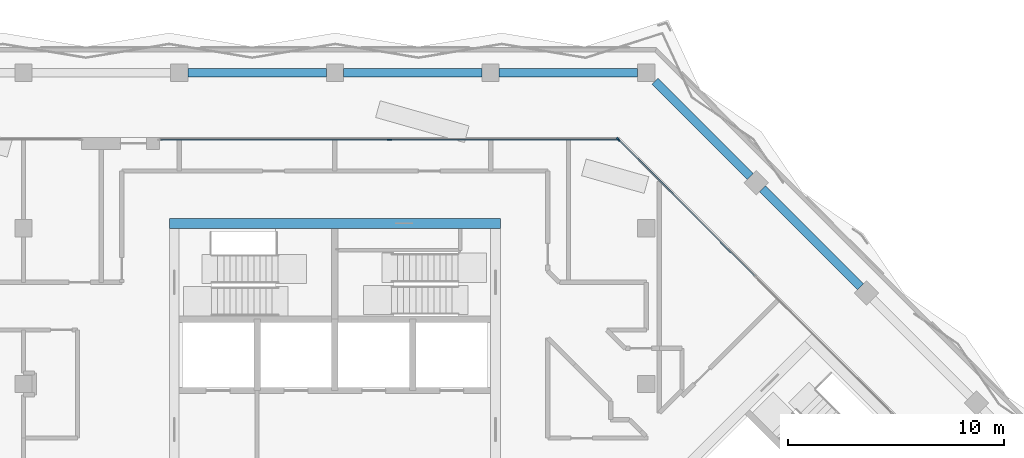
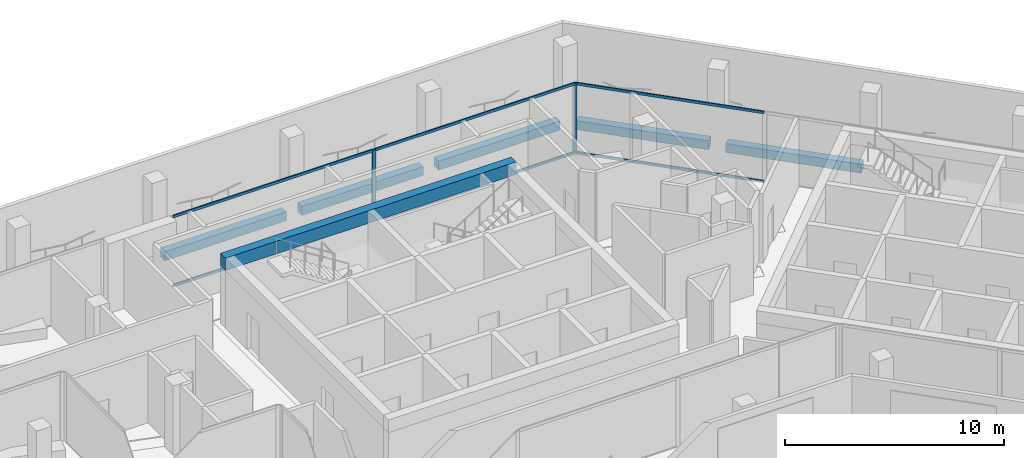
# One storey, part 6 of 19: 8 members, 6 beams, 2 elements without a shape of their own.
"""IFC4 building model written with IfcOpenShell, lengths in metres."""

from ifc_helpers import new_model, si_unit, direction, frame, origin, origin_2d, place, context, subcontext, project, spatial, rectangle, extrude, material, material_profile, profile_set, type_object, element, aggregate, save


model = new_model("IFC4")

# Units and contexts
model_context = context("Model", 3, precision=1e-05, world=origin(), true_north=direction((0.0, 1.0)))
body_context = subcontext(model_context, "Body", "Model", "MODEL_VIEW")
ifc_project = project(units=[si_unit("LENGTHUNIT", "METRE"), si_unit("AREAUNIT", "SQUARE_METRE"), si_unit("VOLUMEUNIT", "CUBIC_METRE"), si_unit("PLANEANGLEUNIT", "RADIAN"), si_unit("MASSUNIT", "GRAM", prefix="KILO")], contexts=[model_context])

# Site, building, storey
site_placement = place(None, origin())
site = spatial("IfcSite", under=ifc_project, at=site_placement, CompositionType="ELEMENT")
building_placement = place(site_placement, origin())
building = spatial("IfcBuilding", under=site, at=building_placement, Name="Windrow Commons", CompositionType="ELEMENT")
storey_placement = place(building_placement, frame((0.0, 0.0, 230.4)))
storey = spatial("IfcBuildingStorey", under=building, at=storey_placement, Name="L63", CompositionType="ELEMENT", Elevation=230.4)

# Curtain wall, member
ifc_material_1 = material(Name="Clear laminated glass in Aluminium 6063-T6 anodised frame", Category="aluminium")
curtain_wall_type = type_object("IfcCurtainWallType", Name="Curtain wall CW2H sky lounge upper", PredefinedType="USERDEFINED", material=ifc_material_1)
placement = place(storey_placement, origin())
curtain_wall_1 = element("IfcCurtainWall", 1, at=placement, inside=storey, type_object=curtain_wall_type, Name="Curtain wall CW2H L63 3", ObjectType="UNITISED", PredefinedType="USERDEFINED")
ifc_material_2 = material(Name="Aluminium 6063-T6", Category="aluminium")
ifc_material_profile_1 = material_profile(ifc_material_2, rectangle(XDim=0.06, YDim=0.2, at=origin_2d()))
ifc_profile_set_1 = profile_set([ifc_material_profile_1], Name="Aluminium 6063-T6")
member_type_1 = type_object("IfcMemberType", Name="CW2H mullion 60x200", PredefinedType="MULLION", material=ifc_profile_set_1)
member_1_placement = place(storey_placement, frame((77.9079, 68.9081, 0.0), z_axis=(0.0, 0.0, 1.0), x_axis=(-0.7071067812, -0.7071067812, 0.0)))
member_1 = element("IfcMember", 2, at=member_1_placement, type_object=member_type_1, Name="CW2H mullion 4", PredefinedType="MULLION", context=body_context, shape_type="SweptSolid", body=[
    extrude(rectangle(XDim=0.06, YDim=0.2, at=origin_2d()), origin(), (0.0, 0.0, 1.0), 3.9),
])

curtain_wall_2 = element("IfcCurtainWall", 3, at=placement, inside=storey, type_object=curtain_wall_type, Name="Curtain wall CW2H L63 4.1", ObjectType="UNITISED", PredefinedType="USERDEFINED")
member_2_placement = place(storey_placement, frame((67.3179, 68.9, 0.0), z_axis=(0.0, 0.0, 1.0), x_axis=(0.0, -1.0, 0.0)))
member_2 = element("IfcMember", 4, at=member_2_placement, type_object=member_type_1, Name="CW2H mullion 2", PredefinedType="MULLION", context=body_context, shape_type="SweptSolid", body=[
    extrude(rectangle(XDim=0.06, YDim=0.2, at=origin_2d()), origin(), (0.0, 0.0, 1.0), 3.9),
])

# Member
ifc_material_3 = material(Name="Aluminium 6063-T6", Category="aluminium")
ifc_material_profile_2 = material_profile(ifc_material_3, rectangle(XDim=0.06, YDim=0.15, at=origin_2d()))
ifc_profile_set_2 = profile_set([ifc_material_profile_2], Name="Aluminium 6063-T6")
member_type_2 = type_object("IfcMemberType", Name="CW2H transom 60x150", PredefinedType="USERDEFINED", material=ifc_profile_set_2)
member_3_placement = place(storey_placement, frame((84.2194, 62.5966, 0.03), z_axis=(-0.7071067812, 0.7071067812, 0.0), x_axis=(-0.7071067812, -0.7071067812, 0.0)))
member_3 = element("IfcMember", 5, at=member_3_placement, type_object=member_type_2, Name="CW2H transom 3.1", ObjectType="TRANSOM", PredefinedType="USERDEFINED", context=body_context, shape_type="SweptSolid", body=[
    extrude(rectangle(XDim=0.06, YDim=0.15, at=origin_2d()), origin(), (0.0, 0.0, 1.0), 8.8958),
])

member_4_placement = place(storey_placement, frame((84.2194, 62.5966, 3.87), z_axis=(-0.7071067812, 0.7071067812, 0.0), x_axis=(-0.7071067812, -0.7071067812, 0.0)))
member_4 = element("IfcMember", 6, at=member_4_placement, type_object=member_type_2, Name="CW2H transom 3.2", ObjectType="TRANSOM", PredefinedType="USERDEFINED", context=body_context, shape_type="SweptSolid", body=[
    extrude(rectangle(XDim=0.06, YDim=0.15, at=origin_2d()), origin(), (0.0, 0.0, 1.0), 8.8958),
])

aggregate(curtain_wall_1, [member_1, member_3, member_4])

member_5_placement = place(storey_placement, frame((77.8974, 68.9, 0.03), z_axis=(-1.0, 0.0, 0.0), x_axis=(0.0, -1.0, 0.0)))
member_5 = element("IfcMember", 7, at=member_5_placement, type_object=member_type_2, Name="CW2H transom 1.1", ObjectType="TRANSOM", PredefinedType="USERDEFINED", context=body_context, shape_type="SweptSolid", body=[
    extrude(rectangle(XDim=0.06, YDim=0.15, at=origin_2d()), origin(), (0.0, 0.0, 1.0), 10.5495),
])

member_6_placement = place(storey_placement, frame((77.8974, 68.9, 3.87), z_axis=(-1.0, 0.0, 0.0), x_axis=(0.0, -1.0, 0.0)))
member_6 = element("IfcMember", 8, at=member_6_placement, type_object=member_type_2, Name="CW2H transom 1.2", ObjectType="TRANSOM", PredefinedType="USERDEFINED", context=body_context, shape_type="SweptSolid", body=[
    extrude(rectangle(XDim=0.06, YDim=0.15, at=origin_2d()), origin(), (0.0, 0.0, 1.0), 10.5495),
])

member_7_placement = place(storey_placement, frame((67.2879, 68.9, 0.03), z_axis=(-1.0, 0.0, 0.0), x_axis=(0.0, -1.0, 0.0)))
member_7 = element("IfcMember", 9, at=member_7_placement, type_object=member_type_2, Name="CW2H transom 2.1", ObjectType="TRANSOM", PredefinedType="USERDEFINED", context=body_context, shape_type="SweptSolid", body=[
    extrude(rectangle(XDim=0.06, YDim=0.15, at=origin_2d()), origin(), (0.0, 0.0, 1.0), 10.5495),
])

member_8_placement = place(storey_placement, frame((67.2879, 68.9, 3.87), z_axis=(-1.0, 0.0, 0.0), x_axis=(0.0, -1.0, 0.0)))
member_8 = element("IfcMember", 10, at=member_8_placement, type_object=member_type_2, Name="CW2H transom 2.2", ObjectType="TRANSOM", PredefinedType="USERDEFINED", context=body_context, shape_type="SweptSolid", body=[
    extrude(rectangle(XDim=0.06, YDim=0.15, at=origin_2d()), origin(), (0.0, 0.0, 1.0), 10.5495),
])

aggregate(curtain_wall_2, [member_2, member_5, member_6, member_7, member_8])

# Beams
ifc_material_4 = material(Name="Concrete C40/50", Category="concrete")
ifc_material_profile_3 = material_profile(ifc_material_4, rectangle(XDim=0.45, YDim=0.7, at=origin_2d()))
ifc_profile_set_3 = profile_set([ifc_material_profile_3], Name="Concrete C40/50")
beam_type_1 = type_object("IfcBeamType", Name="RC COUPLING BEAM 450x700 C40/50", PredefinedType="LINTEL", material=ifc_profile_set_3)
beam_1_placement = place(storey_placement, frame((57.15, 65.025, 3.55), z_axis=(1.0, 0.0, 0.0), x_axis=(0.0, 1.0, 0.0)))
element("IfcBeam", 11, at=beam_1_placement, inside=storey, type_object=beam_type_1, Name="Core A coupling beam outer-N", PredefinedType="LINTEL", context=body_context, shape_type="SweptSolid", body=[
    extrude(rectangle(XDim=0.45, YDim=0.7, at=origin_2d()), origin(), (0.0, 0.0, 1.0), 15.3),
])
ifc_material_5 = material(Name="Concrete C40/50", Category="concrete")
ifc_material_profile_4 = material_profile(ifc_material_5, rectangle(XDim=0.4, YDim=0.5, at=origin_2d()))
ifc_profile_set_4 = profile_set([ifc_material_profile_4], Name="Concrete C40/50")
beam_type_2 = type_object("IfcBeamType", Name="RC EDGE BEAM 400x500 C40/50", PredefinedType="SPANDREL", material=ifc_profile_set_4)
for number, where, z_axis, x_axis, name in (
    (12, (58.0, 72.0, -0.55), (1.0, 0.0, 0.0), (0.0, 1.0, 0.0), "Edge beam L63 013"),
    (13, (65.2, 72.0, -0.55), (1.0, 0.0, 0.0), (0.0, 1.0, 0.0), "Edge beam L63 014"),
    (14, (72.4, 72.0, -0.55), (1.0, 0.0, 0.0), (0.0, 1.0, 0.0), "Edge beam L63 015"),
):
    element("IfcBeam", number, at=place(storey_placement, frame(where, z_axis=z_axis, x_axis=x_axis)), inside=storey, type_object=beam_type_2, Name=name, PredefinedType="SPANDREL", context=body_context, shape_type="SweptSolid", body=[
        extrude(rectangle(XDim=0.4, YDim=0.5, at=origin_2d()), origin(), (0.0, 0.0, 1.0), 6.4),
    ])
beam_2_placement = place(storey_placement, frame((79.6, 71.6, -0.55), z_axis=(0.7071067812, -0.7071067812, 0.0), x_axis=(0.7071067812, 0.7071067812, 0.0)))
element("IfcBeam", 15, at=beam_2_placement, inside=storey, type_object=beam_type_2, Name="Edge beam L63 016", PredefinedType="SPANDREL", context=body_context, shape_type="SweptSolid", body=[
    extrude(rectangle(XDim=0.4, YDim=0.5, at=origin_2d()), origin(), (0.0, 0.0, 1.0), 6.2344),
])
beam_3_placement = place(storey_placement, frame((84.574, 66.626, -0.55), z_axis=(0.7071067812, -0.7071067812, 0.0), x_axis=(0.7071067812, 0.7071067812, 0.0)))
element("IfcBeam", 16, at=beam_3_placement, inside=storey, type_object=beam_type_2, Name="Edge beam L63 017", PredefinedType="SPANDREL", context=body_context, shape_type="SweptSolid", body=[
    extrude(rectangle(XDim=0.4, YDim=0.5, at=origin_2d()), origin(), (0.0, 0.0, 1.0), 6.4),
])

save(model, "model.ifc")
